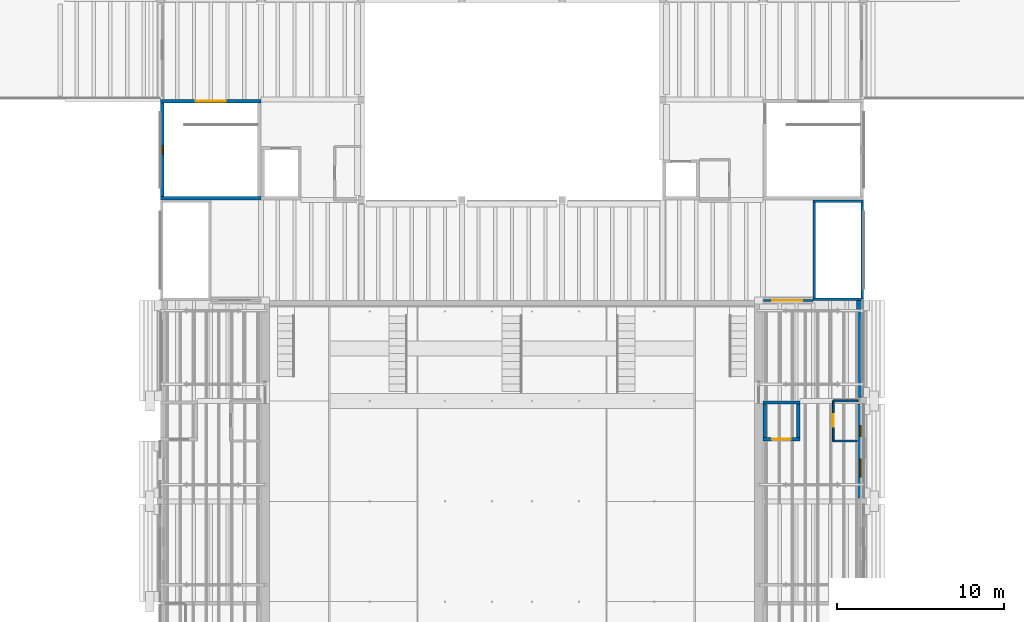
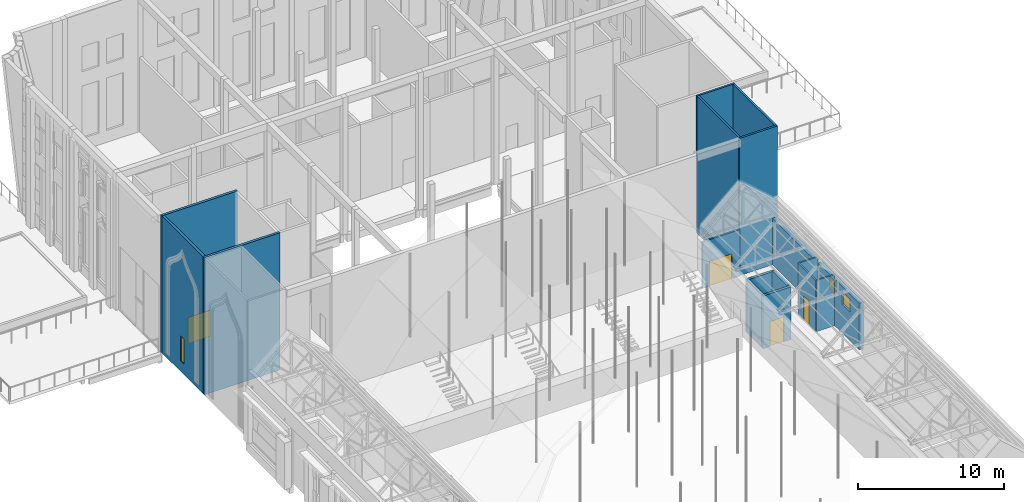
# One storey, part 64 of 118: 17 walls, 4 doors, 3 windows, 7 openings.
"""IFC4 building model written with IfcOpenShell, lengths in metres."""

from ifc_helpers import new_model, si_unit, direction, frame, frame_2d, origin, place, context, subcontext, project, spatial, rectangle, extrude, material, layer, layer_set, type_object, element, fill, save


model = new_model("IFC4")

# Units and contexts
model_context = context("Model", 3, precision=1e-05, world=origin(), true_north=direction((0.0, 1.0)))
body_context = subcontext(model_context, "Body", "Model", "MODEL_VIEW")
ifc_project = project(units=[si_unit("LENGTHUNIT", "METRE"), si_unit("AREAUNIT", "SQUARE_METRE"), si_unit("VOLUMEUNIT", "CUBIC_METRE"), si_unit("PLANEANGLEUNIT", "RADIAN"), si_unit("MASSUNIT", "GRAM", prefix="KILO")], contexts=[model_context])

# Site, building, storey
site_placement = place(None, origin())
site = spatial("IfcSite", under=ifc_project, at=site_placement, CompositionType="ELEMENT")
building_placement = place(site_placement, origin())
building = spatial("IfcBuilding", under=site, at=building_placement, Name="Saffron Lane Theatres", CompositionType="ELEMENT")
storey_placement = place(building_placement, frame((0.0, 0.0, 16.5)))
storey = spatial("IfcBuildingStorey", under=building, at=storey_placement, Name="L03", CompositionType="ELEMENT", Elevation=16.5)

# Wall
ifc_material_1 = material(Name="Masonry pale clay brick", Category="masonry")
ifc_layer_1 = layer(ifc_material_1, 0.35009765625)
ifc_layer_set_1 = layer_set([ifc_layer_1], Name="Masonry pale clay brick")
wall_type_1 = type_object("IfcWallType", Name="EX-WALL BRICK 350", PredefinedType="SOLIDWALL", material=ifc_layer_set_1)
wall_1_placement = place(storey_placement, frame((53.77490234375, 90.0, 0.0), z_axis=(0.0, 0.0, 1.0), x_axis=(0.0, -1.0, 0.0)))
element("IfcWall", 1, at=wall_1_placement, inside=storey, type_object=wall_type_1, Name="External wall L03 15", PredefinedType="SOLIDWALL", context=body_context, shape_type="SweptSolid", body=[
    extrude(rectangle(XDim=5.800048828125, YDim=0.35009765625, at=frame_2d((2.89990234375, 0.0))), origin(), (0.0, 0.0, 1.0), 3.89990234375),
])

# Wall, openings, windows
wall_2_placement = place(storey_placement, frame((53.824951171875, 83.800048828125, 0.0), z_axis=(0.0, 0.0, 1.0), x_axis=(0.0, -1.0, 0.0)))
wall_2 = element("IfcWall", 2, at=wall_2_placement, inside=storey, type_object=wall_type_1, Name="External wall L03 16", PredefinedType="SOLIDWALL", context=body_context, shape_type="SweptSolid", body=[
    extrude(rectangle(XDim=5.60009765625, YDim=0.35009765625, at=frame_2d((2.800048828125, 0.0))), origin(), (0.0, 0.0, 1.0), 3.89990234375),
])
opening_1_placement = place(wall_2_placement, frame((1.25, 0.0, 2.39990234375)))
opening_1 = element("IfcOpeningElement", 3, at=opening_1_placement, cuts=wall_2, Name="Opening WN03-032", PredefinedType="OPENING", context=body_context, shape_type="SweptSolid", body=[
    extrude(rectangle(XDim=0.699951171875, YDim=1.10009765625, at=frame_2d((0.35009765625, 0.550048828125))), frame((0.0, 0.18505859375, 0.0), z_axis=(0.0, -1.0, 0.0), x_axis=(1.0, 0.0, 0.0)), (0.0, 0.0, 1.0), 0.3701171875),
])
opening_2_placement = place(wall_2_placement, frame((3.25, 0.0, 2.39990234375)))
opening_2 = element("IfcOpeningElement", 4, at=opening_2_placement, cuts=wall_2, Name="Opening WN03-033", PredefinedType="OPENING", context=body_context, shape_type="SweptSolid", body=[
    extrude(rectangle(XDim=1.10009765625, YDim=1.10009765625, at=frame_2d((0.550048828125, 0.550048828125))), frame((0.0, 0.18505859375, 0.0), z_axis=(0.0, -1.0, 0.0), x_axis=(1.0, 0.0, 0.0)), (0.0, 0.0, 1.0), 0.3701171875),
])
ifc_material_2 = material(Name="Aluminium", Category="aluminium")
window_type_1 = type_object("IfcWindowType", Name="EX-WINDOW 1100x1100", PartitioningType="SINGLE_PANEL", PredefinedType="WINDOW", material=ifc_material_2)
window_1_placement = place(opening_2_placement, origin())
window_1 = element("IfcWindow", 5, at=window_1_placement, inside=storey, type_object=window_type_1, Name="Window L03 033", OverallHeight=1.10009765625, OverallWidth=1.10009765625, PartitioningType="SINGLE_PANEL", PredefinedType="WINDOW", context=body_context, shape_type="SweptSolid", body=[
    extrude(rectangle(XDim=1.10009765625, YDim=1.10009765625, at=frame_2d((0.550048828125, 0.550048828125))), frame((0.0, 0.030029296875, 0.0), z_axis=(0.0, -1.0, 0.0), x_axis=(1.0, 0.0, 0.0)), (0.0, 0.0, 1.0), 0.06005859375),
])
fill(opening_2, window_1)
ifc_material_3 = material(Name="Aluminium", Category="aluminium")
window_type_2 = type_object("IfcWindowType", Name="EX-WINDOW 700x1100", PartitioningType="SINGLE_PANEL", PredefinedType="WINDOW", material=ifc_material_3)
window_2_placement = place(opening_1_placement, origin())
window_2 = element("IfcWindow", 6, at=window_2_placement, inside=storey, type_object=window_type_2, Name="Window L03 032", OverallHeight=1.10009765625, OverallWidth=0.699951171875, PartitioningType="SINGLE_PANEL", PredefinedType="WINDOW", context=body_context, shape_type="SweptSolid", body=[
    extrude(rectangle(XDim=0.699951171875, YDim=1.10009765625, at=frame_2d((0.35009765625, 0.550048828125))), frame((0.0, 0.030029296875, 0.0), z_axis=(0.0, -1.0, 0.0), x_axis=(1.0, 0.0, 0.0)), (0.0, 0.0, 1.0), 0.06005859375),
])
fill(opening_1, window_2)

# Wall
ifc_material_4 = material(Name="Masonry block partition", Category="masonry")
ifc_layer_2 = layer(ifc_material_4, 0.110107421875)
ifc_layer_set_2 = layer_set([ifc_layer_2], Name="Masonry block partition")
wall_type_2 = type_object("IfcWallType", Name="IN-BLOCK PARTITION 110", PredefinedType="PARTITIONING", material=ifc_layer_set_2)
wall_3_placement = place(storey_placement, frame((52.199951171875, 84.0, 0.0), z_axis=(0.0, 0.0, 1.0), x_axis=(1.0, 0.0, 0.0)))
element("IfcWall", 7, at=wall_3_placement, inside=storey, type_object=wall_type_2, Name="PW-L03-038", PredefinedType="PARTITIONING", context=body_context, shape_type="SweptSolid", body=[
    extrude(rectangle(XDim=1.480224609375, YDim=0.110107421875, at=frame_2d((0.740234375, 0.0))), origin(), (0.0, 0.0, 1.0), 4.280029296875),
])

# Wall, opening, door
wall_4_placement = place(storey_placement, frame((52.199951171875, 81.60009765625, 0.0), z_axis=(0.0, 0.0, 1.0), x_axis=(0.0, 1.0, 0.0)))
wall_4 = element("IfcWall", 8, at=wall_4_placement, inside=storey, type_object=wall_type_2, Name="PW-L03-039", PredefinedType="PARTITIONING", context=body_context, shape_type="SweptSolid", body=[
    extrude(rectangle(XDim=2.39990234375, YDim=0.110107421875, at=frame_2d((1.199951171875, 0.0))), origin(), (0.0, 0.0, 1.0), 4.280029296875),
])
opening_3_placement = place(wall_4_placement, frame((0.85009765625, 0.0, 0.0)))
opening_3 = element("IfcOpeningElement", 9, at=opening_3_placement, cuts=wall_4, Name="Opening D03-25", PredefinedType="OPENING", context=body_context, shape_type="SweptSolid", body=[
    extrude(rectangle(XDim=0.75, YDim=2.0400390625, at=frame_2d((0.375, 1.02001953125))), frame((0.0, 0.06494140625, 0.0), z_axis=(0.0, -1.0, 0.0), x_axis=(1.0, 0.0, 0.0)), (0.0, 0.0, 1.0), 0.130126953125),
])
ifc_material_5 = material(Name="Steel faced fire door leaf", Category="steel")
door_type_1 = type_object("IfcDoorType", Name="IN-DOOR 750x2040 FD60", OperationType="NOTDEFINED", PredefinedType="DOOR", material=ifc_material_5)
door_1_placement = place(opening_3_placement, frame((0.75, 0.0, 0.0), z_axis=(0.0, 0.0, 1.0), x_axis=(-1.0, 0.0, 0.0)))
door_1 = element("IfcDoor", 10, at=door_1_placement, inside=storey, type_object=door_type_1, Name="D03-25", OperationType="SINGLE_SWING_RIGHT", OverallHeight=2.0400390625, OverallWidth=0.75, PredefinedType="DOOR", context=body_context, shape_type="SweptSolid", body=[
    extrude(rectangle(XDim=0.75, YDim=2.0400390625, at=frame_2d((0.375, 1.02001953125))), frame((0.0, 0.02490234375, 0.0), z_axis=(0.0, -1.0, 0.0), x_axis=(1.0, 0.0, 0.0)), (0.0, 0.0, 1.0), 0.050048828125),
])
fill(opening_3, door_1)

# Wall
wall_5_placement = place(storey_placement, frame((52.199951171875, 81.60009765625, 0.0), z_axis=(0.0, 0.0, 1.0), x_axis=(1.0, 0.0, 0.0)))
element("IfcWall", 11, at=wall_5_placement, inside=storey, type_object=wall_type_2, Name="PW-L03-040", PredefinedType="PARTITIONING", context=body_context, shape_type="SweptSolid", body=[
    extrude(rectangle(XDim=1.429931640625, YDim=0.110107421875, at=frame_2d((0.71484375, 0.0))), origin(), (0.0, 0.0, 1.0), 4.280029296875),
])

# Wall, opening, door
ifc_material_6 = material(Name="Masonry block partition", Category="masonry")
ifc_layer_3 = layer(ifc_material_6, 0.139892578125)
ifc_layer_set_3 = layer_set([ifc_layer_3], Name="Masonry block partition")
wall_type_3 = type_object("IfcWallType", Name="IN-BLOCK PARTITION 140", PredefinedType="PARTITIONING", material=ifc_layer_set_3)
wall_6_placement = place(storey_placement, frame((48.02001953125, 90.0, 0.0), z_axis=(0.0, 0.0, 1.0), x_axis=(1.0, 0.0, 0.0)))
wall_6 = element("IfcWall", 12, at=wall_6_placement, inside=storey, type_object=wall_type_3, Name="PW-L03-048", PredefinedType="PARTITIONING", context=body_context, shape_type="SweptSolid", body=[
    extrude(rectangle(XDim=2.9599609375, YDim=0.139892578125, at=frame_2d((1.47998046875, 0.0))), origin(), (0.0, 0.0, 1.0), 3.89990234375),
])
opening_4_placement = place(wall_6_placement, frame((0.530029296875, 0.0, 0.0)))
opening_4 = element("IfcOpeningElement", 13, at=opening_4_placement, cuts=wall_6, Name="Opening D03-31", PredefinedType="OPENING", context=body_context, shape_type="SweptSolid", body=[
    extrude(rectangle(XDim=1.800048828125, YDim=2.10009765625, at=frame_2d((0.89990234375, 1.050048828125))), frame((0.0, 0.080078125, 0.0), z_axis=(0.0, -1.0, 0.0), x_axis=(1.0, 0.0, 0.0)), (0.0, 0.0, 1.0), 0.159912109375),
])
ifc_material_7 = material(Name="Steel faced fire door leaf", Category="steel")
door_type_2 = type_object("IfcDoorType", Name="IN-DOOR 1800x2100 FD120", OperationType="DOUBLE_DOOR_SINGLE_SWING", PredefinedType="DOOR", material=ifc_material_7)
door_2_placement = place(opening_4_placement, frame((1.800048828125, 0.0, 0.0), z_axis=(0.0, 0.0, 1.0), x_axis=(-1.0, 0.0, 0.0)))
door_2 = element("IfcDoor", 14, at=door_2_placement, inside=storey, type_object=door_type_2, Name="D03-31", OperationType="DOUBLE_DOOR_SINGLE_SWING", OverallHeight=2.10009765625, OverallWidth=1.800048828125, PredefinedType="DOOR", context=body_context, shape_type="SweptSolid", body=[
    extrude(rectangle(XDim=1.800048828125, YDim=2.10009765625, at=frame_2d((0.89990234375, 1.050048828125))), frame((0.0, 0.02490234375, 0.0), z_axis=(0.0, -1.0, 0.0), x_axis=(1.0, 0.0, 0.0)), (0.0, 0.0, 1.0), 0.050048828125),
])
fill(opening_4, door_2)

# Walls
ifc_material_8 = material(Name="Concrete N50 (50 MPa)", Category="concrete")
ifc_layer_4 = layer(ifc_material_8, 0.14990234375)
ifc_layer_set_4 = layer_set([ifc_layer_4], Name="Concrete N50 (50 MPa)")
wall_type_4 = type_object("IfcWallType", Name="RC-CORE 150", PredefinedType="SHEAR", material=ifc_layer_set_4)
for number, where, z_axis, x_axis, name in (
    (15, (51.0, 95.925048828125, 0.0), (0.0, 0.0, 1.0), (1.0, 0.0, 0.0), "W-R2-N-L03"),
    (16, (51.0, 90.074951171875, 0.0), (0.0, 0.0, 1.0), (1.0, 0.0, 0.0), "W-R2-S-L03"),
):
    element("IfcWall", number, at=place(storey_placement, frame(where, z_axis=z_axis, x_axis=x_axis)), inside=storey, type_object=wall_type_4, Name=name, PredefinedType="SHEAR", context=body_context, shape_type="SweptSolid", body=[
        extrude(rectangle(XDim=3.0, YDim=0.14990234375, at=frame_2d((1.5, 0.0))), origin(), (0.0, 0.0, 1.0), 11.5),
    ])
wall_7_placement = place(storey_placement, frame((51.074951171875, 90.14990234375, 0.0), z_axis=(0.0, 0.0, 1.0), x_axis=(0.0, 1.0, 0.0)))
element("IfcWall", 17, at=wall_7_placement, inside=storey, type_object=wall_type_4, Name="W-R2-W-L03", PredefinedType="SHEAR", context=body_context, shape_type="SweptSolid", body=[
    extrude(rectangle(XDim=5.7001953125, YDim=0.14990234375, at=frame_2d((2.85009765625, 0.0))), origin(), (0.0, 0.0, 1.0), 11.5),
])

# Wall, opening, door
ifc_material_9 = material(Name="Concrete N50 (50 MPa)", Category="concrete")
ifc_layer_5 = layer(ifc_material_9, 0.199951171875)
ifc_layer_set_5 = layer_set([ifc_layer_5], Name="Concrete N50 (50 MPa)")
wall_type_5 = type_object("IfcWallType", Name="RC-CORE 200", PredefinedType="SHEAR", material=ifc_layer_set_5)
wall_8_placement = place(storey_placement, frame((12.0, 101.89990234375, 0.0), z_axis=(0.0, 0.0, 1.0), x_axis=(1.0, 0.0, 0.0)))
wall_8 = element("IfcWall", 18, at=wall_8_placement, inside=storey, type_object=wall_type_5, Name="W-ST1-N-L03", PredefinedType="SHEAR", context=body_context, shape_type="SweptSolid", body=[
    extrude(rectangle(XDim=6.0, YDim=0.199951171875, at=frame_2d((3.0, 0.0))), origin(), (0.0, 0.0, 1.0), 11.5),
])
opening_5_placement = place(wall_8_placement, frame((2.10009765625, 0.0, 0.0)))
opening_5 = element("IfcOpeningElement", 19, at=opening_5_placement, cuts=wall_8, Name="Opening D03-11", PredefinedType="OPENING", context=body_context, shape_type="SweptSolid", body=[
    extrude(rectangle(XDim=1.800048828125, YDim=2.199951171875, at=frame_2d((0.89990234375, 1.10009765625))), frame((0.0, 0.10986328125, 0.0), z_axis=(0.0, -1.0, 0.0), x_axis=(1.0, 0.0, 0.0)), (0.0, 0.0, 1.0), 0.219970703125),
])
ifc_material_10 = material(Name="Steel faced fire door leaf", Category="steel")
door_type_3 = type_object("IfcDoorType", Name="IN-DOOR 1800x2200 FD120", OperationType="DOUBLE_DOOR_SINGLE_SWING", PredefinedType="DOOR", material=ifc_material_10)
door_3_placement = place(opening_5_placement, frame((1.800048828125, 0.0, 0.0), z_axis=(0.0, 0.0, 1.0), x_axis=(-1.0, 0.0, 0.0)))
door_3 = element("IfcDoor", 20, at=door_3_placement, inside=storey, type_object=door_type_3, Name="D03-11", OperationType="DOUBLE_DOOR_SINGLE_SWING", OverallHeight=2.199951171875, OverallWidth=1.800048828125, PredefinedType="DOOR", context=body_context, shape_type="SweptSolid", body=[
    extrude(rectangle(XDim=1.800048828125, YDim=2.199951171875, at=frame_2d((0.89990234375, 1.10009765625))), frame((0.0, 0.02490234375, 0.0), z_axis=(0.0, -1.0, 0.0), x_axis=(1.0, 0.0, 0.0)), (0.0, 0.0, 1.0), 0.050048828125),
])
fill(opening_5, door_3)

# Walls
wall_9_placement = place(storey_placement, frame((12.0, 96.10009765625, 0.0), z_axis=(0.0, 0.0, 1.0), x_axis=(1.0, 0.0, 0.0)))
element("IfcWall", 21, at=wall_9_placement, inside=storey, type_object=wall_type_5, Name="W-ST1-S-L03", PredefinedType="SHEAR", context=body_context, shape_type="SweptSolid", body=[
    extrude(rectangle(XDim=6.0, YDim=0.199951171875, at=frame_2d((3.0, 0.0))), origin(), (0.0, 0.0, 1.0), 11.5),
])
wall_10_placement = place(storey_placement, frame((48.0, 83.89990234375, 0.0), z_axis=(0.0, 0.0, 1.0), x_axis=(1.0, 0.0, 0.0)))
element("IfcWall", 22, at=wall_10_placement, inside=storey, type_object=wall_type_5, Name="W-LC4-N-L03", PredefinedType="SHEAR", context=body_context, shape_type="SweptSolid", body=[
    extrude(rectangle(XDim=2.199951171875, YDim=0.199951171875, at=frame_2d((1.10009765625, 0.0))), origin(), (0.0, 0.0, 1.0), 4.422119140625),
])

# Wall, opening, door
wall_11_placement = place(storey_placement, frame((48.0, 81.699951171875, 0.0), z_axis=(0.0, 0.0, 1.0), x_axis=(1.0, 0.0, 0.0)))
wall_11 = element("IfcWall", 23, at=wall_11_placement, inside=storey, type_object=wall_type_5, Name="W-LC4-S-L03", PredefinedType="SHEAR", context=body_context, shape_type="SweptSolid", body=[
    extrude(rectangle(XDim=2.199951171875, YDim=0.199951171875, at=frame_2d((1.10009765625, 0.0))), origin(), (0.0, 0.0, 1.0), 4.422119140625),
])
opening_6_placement = place(wall_11_placement, frame((0.550048828125, 0.0, 0.0)))
opening_6 = element("IfcOpeningElement", 24, at=opening_6_placement, cuts=wall_11, Name="Opening LD16", PredefinedType="OPENING", context=body_context, shape_type="SweptSolid", body=[
    extrude(rectangle(XDim=1.10009765625, YDim=2.10009765625, at=frame_2d((0.550048828125, 1.050048828125))), frame((0.0, 0.10986328125, 0.0), z_axis=(0.0, -1.0, 0.0), x_axis=(1.0, 0.0, 0.0)), (0.0, 0.0, 1.0), 0.219970703125),
])
ifc_material_11 = material(Name="Stainless steel 316", Category="steel")
door_type_4 = type_object("IfcDoorType", Name="VC-LANDING DOOR 1100x2100", OperationType="DOUBLE_DOOR_SLIDING", PredefinedType="DOOR", material=ifc_material_11)
door_4_placement = place(opening_6_placement, origin())
door_4 = element("IfcDoor", 25, at=door_4_placement, inside=storey, type_object=door_type_4, Name="Landing doors LC4 L03", OperationType="DOUBLE_DOOR_SLIDING", OverallHeight=2.10009765625, OverallWidth=1.10009765625, PredefinedType="DOOR", context=body_context, shape_type="SweptSolid", body=[
    extrude(rectangle(XDim=1.10009765625, YDim=2.10009765625, at=frame_2d((0.550048828125, 1.050048828125))), frame((0.0, 0.02490234375, 0.0), z_axis=(0.0, -1.0, 0.0), x_axis=(1.0, 0.0, 0.0)), (0.0, 0.0, 1.0), 0.050048828125),
])
fill(opening_6, door_4)

# Walls
wall_12_placement = place(storey_placement, frame((48.10009765625, 81.800048828125, 0.0), z_axis=(0.0, 0.0, 1.0), x_axis=(0.0, 1.0, 0.0)))
element("IfcWall", 26, at=wall_12_placement, inside=storey, type_object=wall_type_5, Name="W-LC4-W-L03", PredefinedType="SHEAR", context=body_context, shape_type="SweptSolid", body=[
    extrude(rectangle(XDim=2.0, YDim=0.199951171875, at=frame_2d((1.0, 0.0))), origin(), (0.0, 0.0, 1.0), 4.422119140625),
])
wall_13_placement = place(storey_placement, frame((50.10009765625, 81.800048828125, 0.0), z_axis=(0.0, 0.0, 1.0), x_axis=(0.0, 1.0, 0.0)))
element("IfcWall", 27, at=wall_13_placement, inside=storey, type_object=wall_type_5, Name="W-LC4-E-L03", PredefinedType="SHEAR", context=body_context, shape_type="SweptSolid", body=[
    extrude(rectangle(XDim=2.0, YDim=0.199951171875, at=frame_2d((1.0, 0.0))), origin(), (0.0, 0.0, 1.0), 4.5),
])
ifc_material_12 = material(Name="Concrete N50 (50 MPa)", Category="concrete")
ifc_layer_6 = layer(ifc_material_12, 0.14990234375)
ifc_layer_set_6 = layer_set([ifc_layer_6], Name="Concrete N50 (50 MPa)")
wall_type_6 = type_object("IfcWallType", Name="RC-CORE EXTERNAL 150", PredefinedType="SHEAR", material=ifc_layer_set_6)
wall_14_placement = place(storey_placement, frame((53.925048828125, 90.14990234375, 0.0), z_axis=(0.0, 0.0, 1.0), x_axis=(0.0, 1.0, 0.0)))
element("IfcWall", 28, at=wall_14_placement, inside=storey, type_object=wall_type_6, Name="W-R2-E-L03", PredefinedType="SHEAR", context=body_context, shape_type="SweptSolid", body=[
    extrude(rectangle(XDim=5.7001953125, YDim=0.14990234375, at=frame_2d((2.85009765625, 0.0))), origin(), (0.0, 0.0, 1.0), 11.5),
])

# Wall, opening, window
ifc_material_13 = material(Name="Concrete N50 (50 MPa)", Category="concrete")
ifc_layer_7 = layer(ifc_material_13, 0.199951171875)
ifc_layer_set_7 = layer_set([ifc_layer_7], Name="Concrete N50 (50 MPa)")
wall_type_7 = type_object("IfcWallType", Name="RC-CORE EXTERNAL 200", PredefinedType="SHEAR", material=ifc_layer_set_7)
wall_15_placement = place(storey_placement, frame((12.10009765625, 96.199951171875, 0.0), z_axis=(0.0, 0.0, 1.0), x_axis=(0.0, 1.0, 0.0)))
wall_15 = element("IfcWall", 29, at=wall_15_placement, inside=storey, type_object=wall_type_7, Name="W-ST1-W-L03", PredefinedType="SHEAR", context=body_context, shape_type="SweptSolid", body=[
    extrude(rectangle(XDim=5.60009765625, YDim=0.199951171875, at=frame_2d((2.800048828125, 0.0))), origin(), (0.0, 0.0, 1.0), 11.5),
])
opening_7_placement = place(wall_15_placement, frame((2.550048828125, 0.0, 0.89990234375)))
opening_7 = element("IfcOpeningElement", 30, at=opening_7_placement, cuts=wall_15, Name="Opening WN03-056", PredefinedType="OPENING", context=body_context, shape_type="SweptSolid", body=[
    extrude(rectangle(XDim=0.5, YDim=2.10009765625, at=frame_2d((0.25, 1.050048828125))), frame((0.0, 0.10986328125, 0.0), z_axis=(0.0, -1.0, 0.0), x_axis=(1.0, 0.0, 0.0)), (0.0, 0.0, 1.0), 0.219970703125),
])
ifc_material_14 = material(Name="Aluminium", Category="aluminium")
window_type_3 = type_object("IfcWindowType", Name="EX-WINDOW 500x2100", PartitioningType="SINGLE_PANEL", PredefinedType="WINDOW", material=ifc_material_14)
window_3_placement = place(opening_7_placement, origin())
window_3 = element("IfcWindow", 31, at=window_3_placement, inside=storey, type_object=window_type_3, Name="Stair light ST1 L03", OverallHeight=2.10009765625, OverallWidth=0.5, PartitioningType="SINGLE_PANEL", PredefinedType="WINDOW", context=body_context, shape_type="SweptSolid", body=[
    extrude(rectangle(XDim=0.5, YDim=2.10009765625, at=frame_2d((0.25, 1.050048828125))), frame((0.0, 0.030029296875, 0.0), z_axis=(0.0, -1.0, 0.0), x_axis=(1.0, 0.0, 0.0)), (0.0, 0.0, 1.0), 0.06005859375),
])
fill(opening_7, window_3)

save(model, "model.ifc")
